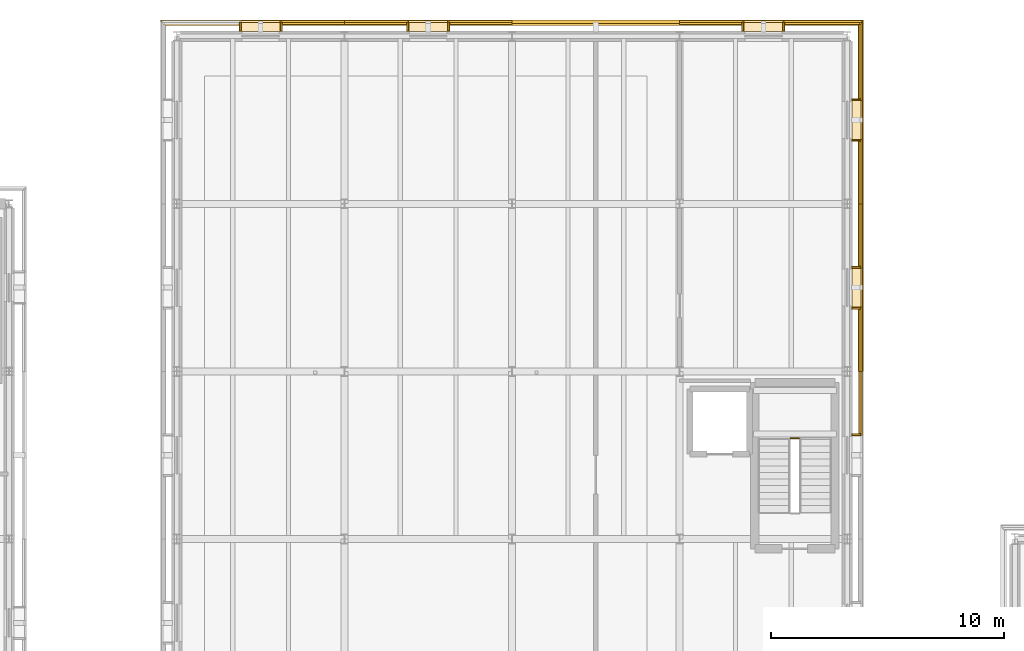
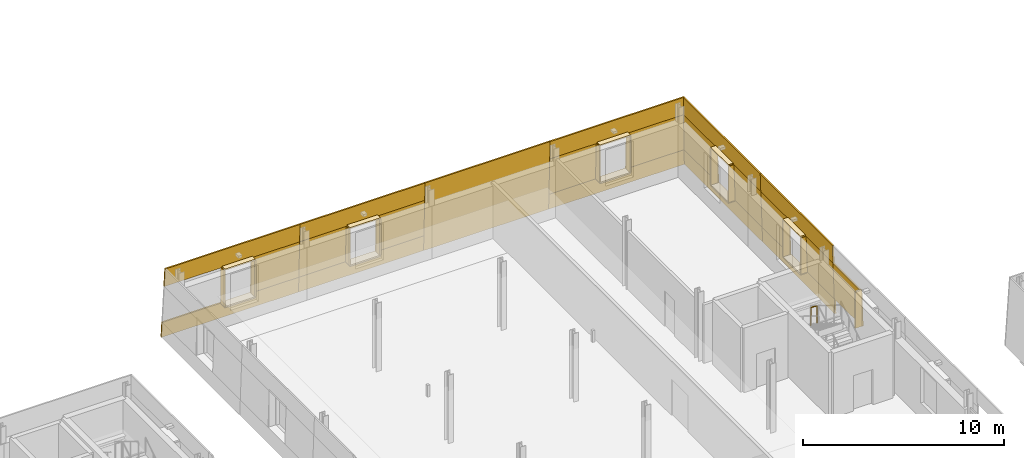
# One storey, part 104 of 115: 42 coverings, 1 railing.
"""IFC4 building model written with IfcOpenShell, lengths in metres."""

from ifc_helpers import new_model, si_unit, direction, frame, origin, origin_2d, place, context, subcontext, project, spatial, polyline, circle, outline, extrude, material, layer, layer_set, type_object, element, save


model = new_model("IFC4")

# Units and contexts
model_context = context("Model", 3, precision=1e-05, world=origin(), true_north=direction((0.0, 1.0)))
body_context = subcontext(model_context, "Body", "Model", "MODEL_VIEW")
ifc_project = project(units=[si_unit("LENGTHUNIT", "METRE"), si_unit("AREAUNIT", "SQUARE_METRE"), si_unit("VOLUMEUNIT", "CUBIC_METRE"), si_unit("PLANEANGLEUNIT", "RADIAN"), si_unit("MASSUNIT", "GRAM", prefix="KILO")], contexts=[model_context])

# Site, building, storey
site_placement = place(None, origin())
site = spatial("IfcSite", under=ifc_project, at=site_placement, CompositionType="ELEMENT")
building_placement = place(site_placement, origin())
building = spatial("IfcBuilding", under=site, at=building_placement, Name="Narikvali Park Central Library", CompositionType="ELEMENT")
storey_placement = place(building_placement, frame((0.0, 0.0, 10.199951171875)))
storey = spatial("IfcBuildingStorey", under=building, at=storey_placement, Name="L02", CompositionType="ELEMENT", Elevation=10.199951171875)

# Coverings
ifc_material_1 = material(Name="White Honed Limestone Cladding", Category="masonry")
ifc_layer_1 = layer(ifc_material_1, 0.0849609375, Name="White Honed Limestone Cladding")
ifc_layer_set_1 = layer_set([ifc_layer_1], Name="White Honed Limestone Cladding")
covering_type_1 = type_object("IfcCoveringType", Name="Battered White Limestone Facade Cladding Panel", PredefinedType="CLADDING", material=ifc_layer_set_1)
covering_1_placement = place(storey_placement, frame((58.265380859375, 98.0400390625, 0.920166015625), z_axis=(0.999435139525, 0.0, 0.033606574995), x_axis=(0.0, 1.0, 0.0)))
element("IfcCovering", 1, at=covering_1_placement, inside=storey, type_object=covering_type_1, Name="V4 L02 E Battered Limestone Jamb Pier R B07", PredefinedType="CLADDING", context=body_context, shape_type="SweptSolid", body=[
    extrude(outline(polyline([(0.0, 0.0), (2.760009765625, 0.0), (2.760009765625, 2.201194539668489), (0.0, 2.201194539668489), (0.0, 0.0)])), origin(), (0.0, 0.0, -1.0), 0.0849609375),
])
covering_2_placement = place(storey_placement, frame((58.29638671875, 100.800048828125, 0.0), z_axis=(0.999432774777, 0.0, 0.03367682738), x_axis=(0.0, 1.0, 0.0)))
element("IfcCovering", 2, at=covering_2_placement, inside=storey, type_object=covering_type_1, Name="V4 L02 E Battered Limestone Spandrel B08", PredefinedType="CLADDING", context=body_context, shape_type="SweptSolid", body=[
    extrude(outline(polyline([(0.0, 0.0), (7.199951171875, 0.0), (7.199951171875, 0.9206882532251458), (0.0, 0.9206882532251458), (0.0, 0.0)])), origin(), (0.0, 0.0, -1.0), 0.0849609375),
])
covering_3_placement = place(storey_placement, frame((58.19140625, 100.800048828125, 3.1201171875), z_axis=(0.999425428317, 0.0, 0.033894147467), x_axis=(0.0, 1.0, 0.0)))
element("IfcCovering", 3, at=covering_3_placement, inside=storey, type_object=covering_type_1, Name="V4 L02 E Battered Limestone Lintel B08", PredefinedType="CLADDING", context=body_context, shape_type="SweptSolid", body=[
    extrude(outline(polyline([(0.0, 0.0), (7.199951171875, 0.0), (7.199951171875, 1.0804547830976703), (0.0, 1.0804547830976703), (0.0, 0.0)])), origin(), (0.0, 0.0, -1.0), 0.0849609375),
])
for number, where, z_axis, x_axis, name in (
    (4, (58.265380859375, 100.800048828125, 0.920166015625), (0.999435139525, 0.0, 0.033606574995), (0.0, 1.0, 0.0), "V4 L02 E Battered Limestone Jamb Pier L B08"),
    (5, (58.265380859375, 105.239990234375, 0.920166015625), (0.999435139525, 0.0, 0.033606574995), (0.0, 1.0, 0.0), "V4 L02 E Battered Limestone Jamb Pier R B08"),
):
    element("IfcCovering", number, at=place(storey_placement, frame(where, z_axis=z_axis, x_axis=x_axis)), inside=storey, type_object=covering_type_1, Name=name, PredefinedType="CLADDING", context=body_context, shape_type="SweptSolid", body=[
        extrude(outline(polyline([(0.0, 0.0), (2.760009765625, 0.0), (2.760009765625, 2.201194539668489), (0.0, 2.201194539668489), (0.0, 0.0)])), origin(), (0.0, 0.0, -1.0), 0.0849609375),
    ])
covering_4_placement = place(storey_placement, frame((58.29638671875, 108.0, 0.0), z_axis=(0.999432774777, 0.0, 0.03367682738), x_axis=(0.0, 1.0, 0.0)))
element("IfcCovering", 6, at=covering_4_placement, inside=storey, type_object=covering_type_1, Name="V4 L02 E Battered Limestone Spandrel B09", PredefinedType="CLADDING", context=body_context, shape_type="SweptSolid", body=[
    extrude(outline(polyline([(0.0, 0.0), (7.811279296875, 0.0), (7.780517578125, 0.9206882532251458), (0.0, 0.9206882532251458), (0.0, 0.0)])), origin(), (0.0, 0.0, -1.0), 0.0849609375),
])
covering_5_placement = place(storey_placement, frame((58.19140625, 108.0, 3.1201171875), z_axis=(0.999425428317, 0.0, 0.033894147467), x_axis=(0.0, 1.0, 0.0)))
element("IfcCovering", 7, at=covering_5_placement, inside=storey, type_object=covering_type_1, Name="V4 L02 E Battered Limestone Lintel B09", PredefinedType="CLADDING", context=body_context, shape_type="SweptSolid", body=[
    extrude(outline(polyline([(0.0, 0.0), (7.706298828125, 0.0), (7.669921875, 1.0804547830976703), (0.0, 1.0804547830976703), (0.0, 0.0)])), origin(), (0.0, 0.0, -1.0), 0.0849609375),
])
covering_6_placement = place(storey_placement, frame((58.265380859375, 108.0, 0.920166015625), z_axis=(0.999435139525, 0.0, 0.033606574995), x_axis=(0.0, 1.0, 0.0)))
element("IfcCovering", 8, at=covering_6_placement, inside=storey, type_object=covering_type_1, Name="V4 L02 E Battered Limestone Jamb Pier L B09", PredefinedType="CLADDING", context=body_context, shape_type="SweptSolid", body=[
    extrude(outline(polyline([(0.0, 0.0), (2.760009765625, 0.0), (2.760009765625, 2.201194539668489), (0.0, 2.201194539668489), (0.0, 0.0)])), origin(), (0.0, 0.0, -1.0), 0.0849609375),
])
covering_7_placement = place(storey_placement, frame((58.265380859375, 112.43994140625, 0.920166015625), z_axis=(0.999435139525, 0.0, 0.033606574995), x_axis=(0.0, 1.0, 0.0)))
element("IfcCovering", 9, at=covering_7_placement, inside=storey, type_object=covering_type_1, Name="V4 L02 E Battered Limestone Jamb Pier R B09", PredefinedType="CLADDING", context=body_context, shape_type="SweptSolid", body=[
    extrude(outline(polyline([(0.0, 0.0), (3.340576171875, 0.0), (3.266357421875, 2.2011945396684887), (0.0, 2.2011945396684887), (0.0, 0.0)])), origin(), (0.0, 0.0, -1.0), 0.0849609375),
])
covering_8_placement = place(storey_placement, frame((58.29638671875, 115.896484375, 0.0), z_axis=(0.0, 0.999432774777, 0.03367682738), x_axis=(-1.0, 0.0, 0.0)))
element("IfcCovering", 10, at=covering_8_placement, inside=storey, type_object=covering_type_1, Name="V4 L02 N Battered Limestone Spandrel B01", PredefinedType="CLADDING", context=body_context, shape_type="SweptSolid", body=[
    extrude(outline(polyline([(0.0, 0.0), (7.896484375, 0.0), (7.896484375, 0.9206882532251457), (0.031005859375, 0.9206882532251457), (0.0, 0.0)])), origin(), (0.0, 0.0, -1.0), 0.0849609375),
])
covering_9_placement = place(storey_placement, frame((58.19140625, 115.791259765625, 3.1201171875), z_axis=(0.0, 0.999433057245, 0.033668443484), x_axis=(-1.0, 0.0, 0.0)))
element("IfcCovering", 11, at=covering_9_placement, inside=storey, type_object=covering_type_1, Name="V4 L02 N Battered Limestone Lintel B01", PredefinedType="CLADDING", context=body_context, shape_type="SweptSolid", body=[
    extrude(outline(polyline([(0.0, 0.0), (7.79150390625, 0.0), (7.79150390625, 1.0804465357109745), (0.03662109375, 1.0804465357109745), (0.0, 0.0)])), origin(), (0.0, 0.0, -1.0), 0.0849609375),
])
covering_10_placement = place(storey_placement, frame((58.265380859375, 115.865478515625, 0.920166015625), z_axis=(0.0, 0.999431408105, 0.033717361898), x_axis=(-1.0, 0.0, 0.0)))
element("IfcCovering", 12, at=covering_10_placement, inside=storey, type_object=covering_type_1, Name="V4 L02 N Battered Limestone Jamb Pier L B01", PredefinedType="CLADDING", context=body_context, shape_type="SweptSolid", body=[
    extrude(outline(polyline([(0.0, 0.0), (3.42529296875, 0.0), (3.42529296875, 2.201202757922529), (0.073974609375, 2.201202757922529), (0.0, 0.0)])), origin(), (0.0, 0.0, -1.0), 0.0849609375),
])
covering_11_placement = place(storey_placement, frame((53.159912109375, 115.865478515625, 0.920166015625), z_axis=(0.0, 0.999431408105, 0.033717361898), x_axis=(-1.0, 0.0, 0.0)))
element("IfcCovering", 13, at=covering_11_placement, inside=storey, type_object=covering_type_1, Name="V4 L02 N Battered Limestone Jamb Pier R B01", PredefinedType="CLADDING", context=body_context, shape_type="SweptSolid", body=[
    extrude(outline(polyline([(0.0, 0.0), (2.760009765625, 0.0), (2.760009765625, 2.2012027579225295), (0.0, 2.2012027579225295), (0.0, 0.0)])), origin(), (0.0, 0.0, -1.0), 0.0849609375),
])
covering_12_placement = place(storey_placement, frame((50.39990234375, 115.896484375, 0.0), z_axis=(0.0, 0.99943213179, 0.033695903996), x_axis=(-1.0, 0.0, 0.0)))
element("IfcCovering", 14, at=covering_12_placement, inside=storey, type_object=covering_type_1, Name="V4 L02 N Battered Limestone Panel B02", PredefinedType="CLADDING", context=body_context, shape_type="SweptSolid", body=[
    extrude(outline(polyline([(0.0, 0.0), (7.199951171875, 0.0), (7.199951171875, 4.202337545775758), (0.0, 4.202337545775758), (0.0, 0.0)])), origin(), (0.0, 0.0, -1.0), 0.0849609375),
])
covering_13_placement = place(storey_placement, frame((43.199951171875, 115.896484375, 0.0), z_axis=(0.0, 0.999432774777, 0.03367682738), x_axis=(-1.0, 0.0, 0.0)))
element("IfcCovering", 15, at=covering_13_placement, inside=storey, type_object=covering_type_1, Name="V4 L02 N Battered Limestone Spandrel B03", PredefinedType="CLADDING", context=body_context, shape_type="SweptSolid", body=[
    extrude(outline(polyline([(0.0, 0.0), (7.199951171875, 0.0), (7.199951171875, 0.9206882532251458), (0.0, 0.9206882532251458), (0.0, 0.0)])), origin(), (0.0, 0.0, -1.0), 0.0849609375),
])
covering_14_placement = place(storey_placement, frame((43.199951171875, 115.791259765625, 3.1201171875), z_axis=(0.0, 0.999433057245, 0.033668443484), x_axis=(-1.0, 0.0, 0.0)))
element("IfcCovering", 16, at=covering_14_placement, inside=storey, type_object=covering_type_1, Name="V4 L02 N Battered Limestone Lintel B03", PredefinedType="CLADDING", context=body_context, shape_type="SweptSolid", body=[
    extrude(outline(polyline([(0.0, 0.0), (7.199951171875, 0.0), (7.199951171875, 1.0804465357109745), (0.0, 1.0804465357109745), (0.0, 0.0)])), origin(), (0.0, 0.0, -1.0), 0.0849609375),
])
for number, where, z_axis, x_axis, name in (
    (17, (43.199951171875, 115.865478515625, 0.920166015625), (0.0, 0.999431408105, 0.033717361898), (-1.0, 0.0, 0.0), "V4 L02 N Battered Limestone Jamb Pier L B03"),
    (18, (38.760009765625, 115.865478515625, 0.920166015625), (0.0, 0.999431408105, 0.033717361898), (-1.0, 0.0, 0.0), "V4 L02 N Battered Limestone Jamb Pier R B03"),
):
    element("IfcCovering", number, at=place(storey_placement, frame(where, z_axis=z_axis, x_axis=x_axis)), inside=storey, type_object=covering_type_1, Name=name, PredefinedType="CLADDING", context=body_context, shape_type="SweptSolid", body=[
        extrude(outline(polyline([(0.0, 0.0), (2.760009765625, 0.0), (2.760009765625, 2.2012027579225295), (0.0, 2.2012027579225295), (0.0, 0.0)])), origin(), (0.0, 0.0, -1.0), 0.0849609375),
    ])
covering_15_placement = place(storey_placement, frame((36.0, 115.896484375, 0.0), z_axis=(0.0, 0.999432774777, 0.03367682738), x_axis=(-1.0, 0.0, 0.0)))
element("IfcCovering", 19, at=covering_15_placement, inside=storey, type_object=covering_type_1, Name="V4 L02 N Battered Limestone Spandrel B04", PredefinedType="CLADDING", context=body_context, shape_type="SweptSolid", body=[
    extrude(outline(polyline([(0.0, 0.0), (7.896484375, 0.0), (7.865478515625, 0.9206882532251457), (0.0, 0.9206882532251457), (0.0, 0.0)])), origin(), (0.0, 0.0, -1.0), 0.0849609375),
])
covering_16_placement = place(storey_placement, frame((36.0, 115.791259765625, 3.1201171875), z_axis=(0.0, 0.999433057245, 0.033668443484), x_axis=(-1.0, 0.0, 0.0)))
element("IfcCovering", 20, at=covering_16_placement, inside=storey, type_object=covering_type_1, Name="V4 L02 N Battered Limestone Lintel B04", PredefinedType="CLADDING", context=body_context, shape_type="SweptSolid", body=[
    extrude(outline(polyline([(0.0, 0.0), (7.791259765625, 0.0), (7.7548828125, 1.0804465357109745), (0.0, 1.0804465357109745), (0.0, 0.0)])), origin(), (0.0, 0.0, -1.0), 0.0849609375),
])
covering_17_placement = place(storey_placement, frame((36.0, 115.865478515625, 0.920166015625), z_axis=(0.0, 0.999431408105, 0.033717361898), x_axis=(-1.0, 0.0, 0.0)))
element("IfcCovering", 21, at=covering_17_placement, inside=storey, type_object=covering_type_1, Name="V4 L02 N Battered Limestone Jamb Pier L B04", PredefinedType="CLADDING", context=body_context, shape_type="SweptSolid", body=[
    extrude(outline(polyline([(0.0, 0.0), (2.760009765625, 0.0), (2.760009765625, 2.2012027579225295), (0.0, 2.2012027579225295), (0.0, 0.0)])), origin(), (0.0, 0.0, -1.0), 0.0849609375),
])
ifc_layer_2 = layer(ifc_material_1, 0.080078125, Name="White Honed Limestone Cladding")
ifc_layer_set_2 = layer_set([ifc_layer_2], Name="White Honed Limestone Cladding")
covering_type_2 = type_object("IfcCoveringType", Name="Deep Carved White Limestone Window Reveal", PredefinedType="CLADDING", material=ifc_layer_set_2)
covering_18_placement = place(storey_placement, frame((0.0, 0.0, 0.920166015625)))
element("IfcCovering", 22, at=covering_18_placement, inside=storey, type_object=covering_type_2, Name="Deep Stone Reveal Jamb R V4-RVL-L02-E-B07", PredefinedType="CLADDING", context=body_context, shape_type="SweptSolid", body=[
    extrude(outline(polyline([(57.804931640625, 98.0400390625), (57.804931640625, 98.1201171875), (58.19140625, 98.1201171875), (58.19140625, 98.0400390625), (57.804931640625, 98.0400390625)])), origin(), (0.0, 0.0, 1.0), 2.199951171875),
])
covering_19_placement = place(storey_placement, frame((0.0, 0.0, 3.1201171875)))
element("IfcCovering", 23, at=covering_19_placement, inside=storey, type_object=covering_type_2, Name="Deep Stone Reveal Head V4-RVL-L02-E-B08", PredefinedType="CLADDING", context=body_context, shape_type="SweptSolid", body=[
    extrude(outline(polyline([(57.804931640625, 103.52001953125), (57.804931640625, 105.280029296875), (58.19140625, 105.280029296875), (58.19140625, 103.52001953125), (57.804931640625, 103.52001953125)])), origin(), (0.0, 0.0, 1.0), 0.079833984375),
])
covering_20_placement = place(storey_placement, frame((0.0, 0.0, 0.840087890625)))
element("IfcCovering", 24, at=covering_20_placement, inside=storey, type_object=covering_type_2, Name="Deep Stone Reveal Sill V4-RVL-L02-E-B08", PredefinedType="CLADDING", context=body_context, shape_type="SweptSolid", body=[
    extrude(outline(polyline([(57.804931640625, 103.52001953125), (57.804931640625, 105.280029296875), (58.265380859375, 105.280029296875), (58.265380859375, 103.52001953125), (57.804931640625, 103.52001953125)])), origin(), (0.0, 0.0, 1.0), 0.080078125),
])
covering_21_placement = place(storey_placement, frame((0.0, 0.0, 0.920166015625)))
element("IfcCovering", 25, at=covering_21_placement, inside=storey, type_object=covering_type_2, Name="Deep Stone Reveal Jamb L V4-RVL-L02-E-B08", PredefinedType="CLADDING", context=body_context, shape_type="SweptSolid", body=[
    extrude(outline(polyline([(57.804931640625, 103.47998046875), (57.804931640625, 103.56005859375), (58.19140625, 103.56005859375), (58.19140625, 103.47998046875), (57.804931640625, 103.47998046875)])), origin(), (0.0, 0.0, 1.0), 2.199951171875),
])
covering_22_placement = place(storey_placement, frame((0.0, 0.0, 0.920166015625)))
element("IfcCovering", 26, at=covering_22_placement, inside=storey, type_object=covering_type_2, Name="Deep Stone Reveal Jamb R V4-RVL-L02-E-B08", PredefinedType="CLADDING", context=body_context, shape_type="SweptSolid", body=[
    extrude(outline(polyline([(57.804931640625, 105.239990234375), (57.804931640625, 105.320068359375), (58.19140625, 105.320068359375), (58.19140625, 105.239990234375), (57.804931640625, 105.239990234375)])), origin(), (0.0, 0.0, 1.0), 2.199951171875),
])
covering_23_placement = place(storey_placement, frame((0.0, 0.0, 3.1201171875)))
element("IfcCovering", 27, at=covering_23_placement, inside=storey, type_object=covering_type_2, Name="Deep Stone Reveal Head V4-RVL-L02-E-B09", PredefinedType="CLADDING", context=body_context, shape_type="SweptSolid", body=[
    extrude(outline(polyline([(57.804931640625, 110.719970703125), (57.804931640625, 112.47998046875), (58.19140625, 112.47998046875), (58.19140625, 110.719970703125), (57.804931640625, 110.719970703125)])), origin(), (0.0, 0.0, 1.0), 0.079833984375),
])
covering_24_placement = place(storey_placement, frame((0.0, 0.0, 0.840087890625)))
element("IfcCovering", 28, at=covering_24_placement, inside=storey, type_object=covering_type_2, Name="Deep Stone Reveal Sill V4-RVL-L02-E-B09", PredefinedType="CLADDING", context=body_context, shape_type="SweptSolid", body=[
    extrude(outline(polyline([(57.804931640625, 110.719970703125), (57.804931640625, 112.47998046875), (58.265380859375, 112.47998046875), (58.265380859375, 110.719970703125), (57.804931640625, 110.719970703125)])), origin(), (0.0, 0.0, 1.0), 0.080078125),
])
covering_25_placement = place(storey_placement, frame((0.0, 0.0, 0.920166015625)))
element("IfcCovering", 29, at=covering_25_placement, inside=storey, type_object=covering_type_2, Name="Deep Stone Reveal Jamb L V4-RVL-L02-E-B09", PredefinedType="CLADDING", context=body_context, shape_type="SweptSolid", body=[
    extrude(outline(polyline([(57.804931640625, 110.679931640625), (57.804931640625, 110.760009765625), (58.19140625, 110.760009765625), (58.19140625, 110.679931640625), (57.804931640625, 110.679931640625)])), origin(), (0.0, 0.0, 1.0), 2.199951171875),
])
covering_26_placement = place(storey_placement, frame((0.0, 0.0, 0.920166015625)))
element("IfcCovering", 30, at=covering_26_placement, inside=storey, type_object=covering_type_2, Name="Deep Stone Reveal Jamb R V4-RVL-L02-E-B09", PredefinedType="CLADDING", context=body_context, shape_type="SweptSolid", body=[
    extrude(outline(polyline([(57.804931640625, 112.43994140625), (57.804931640625, 112.52001953125), (58.19140625, 112.52001953125), (58.19140625, 112.43994140625), (57.804931640625, 112.43994140625)])), origin(), (0.0, 0.0, 1.0), 2.199951171875),
])
covering_27_placement = place(storey_placement, frame((0.0, 0.0, 3.1201171875)))
element("IfcCovering", 31, at=covering_27_placement, inside=storey, type_object=covering_type_2, Name="Deep Stone Reveal Head V4-RVL-L02-N-B01", PredefinedType="CLADDING", context=body_context, shape_type="SweptSolid", body=[
    extrude(outline(polyline([(54.8798828125, 115.405029296875), (53.1201171875, 115.405029296875), (53.1201171875, 115.791259765625), (54.8798828125, 115.791259765625), (54.8798828125, 115.405029296875)])), origin(), (0.0, 0.0, 1.0), 0.079833984375),
])
covering_28_placement = place(storey_placement, frame((0.0, 0.0, 0.840087890625)))
element("IfcCovering", 32, at=covering_28_placement, inside=storey, type_object=covering_type_2, Name="Deep Stone Reveal Sill V4-RVL-L02-N-B01", PredefinedType="CLADDING", context=body_context, shape_type="SweptSolid", body=[
    extrude(outline(polyline([(54.8798828125, 115.405029296875), (53.1201171875, 115.405029296875), (53.1201171875, 115.865478515625), (54.8798828125, 115.865478515625), (54.8798828125, 115.405029296875)])), origin(), (0.0, 0.0, 1.0), 0.080078125),
])
covering_29_placement = place(storey_placement, frame((0.0, 0.0, 0.920166015625)))
element("IfcCovering", 33, at=covering_29_placement, inside=storey, type_object=covering_type_2, Name="Deep Stone Reveal Jamb L V4-RVL-L02-N-B01", PredefinedType="CLADDING", context=body_context, shape_type="SweptSolid", body=[
    extrude(outline(polyline([(54.919921875, 115.405029296875), (54.840087890625, 115.405029296875), (54.840087890625, 115.791259765625), (54.919921875, 115.791259765625), (54.919921875, 115.405029296875)])), origin(), (0.0, 0.0, 1.0), 2.199951171875),
])
covering_30_placement = place(storey_placement, frame((0.0, 0.0, 0.920166015625)))
element("IfcCovering", 34, at=covering_30_placement, inside=storey, type_object=covering_type_2, Name="Deep Stone Reveal Jamb R V4-RVL-L02-N-B01", PredefinedType="CLADDING", context=body_context, shape_type="SweptSolid", body=[
    extrude(outline(polyline([(53.159912109375, 115.405029296875), (53.080078125, 115.405029296875), (53.080078125, 115.791259765625), (53.159912109375, 115.791259765625), (53.159912109375, 115.405029296875)])), origin(), (0.0, 0.0, 1.0), 2.199951171875),
])
covering_31_placement = place(storey_placement, frame((0.0, 0.0, 3.1201171875)))
element("IfcCovering", 35, at=covering_31_placement, inside=storey, type_object=covering_type_2, Name="Deep Stone Reveal Head V4-RVL-L02-N-B03", PredefinedType="CLADDING", context=body_context, shape_type="SweptSolid", body=[
    extrude(outline(polyline([(40.47998046875, 115.405029296875), (38.719970703125, 115.405029296875), (38.719970703125, 115.791259765625), (40.47998046875, 115.791259765625), (40.47998046875, 115.405029296875)])), origin(), (0.0, 0.0, 1.0), 0.079833984375),
])
covering_32_placement = place(storey_placement, frame((0.0, 0.0, 0.840087890625)))
element("IfcCovering", 36, at=covering_32_placement, inside=storey, type_object=covering_type_2, Name="Deep Stone Reveal Sill V4-RVL-L02-N-B03", PredefinedType="CLADDING", context=body_context, shape_type="SweptSolid", body=[
    extrude(outline(polyline([(40.47998046875, 115.405029296875), (38.719970703125, 115.405029296875), (38.719970703125, 115.865478515625), (40.47998046875, 115.865478515625), (40.47998046875, 115.405029296875)])), origin(), (0.0, 0.0, 1.0), 0.080078125),
])
covering_33_placement = place(storey_placement, frame((0.0, 0.0, 0.920166015625)))
element("IfcCovering", 37, at=covering_33_placement, inside=storey, type_object=covering_type_2, Name="Deep Stone Reveal Jamb L V4-RVL-L02-N-B03", PredefinedType="CLADDING", context=body_context, shape_type="SweptSolid", body=[
    extrude(outline(polyline([(40.52001953125, 115.405029296875), (40.43994140625, 115.405029296875), (40.43994140625, 115.791259765625), (40.52001953125, 115.791259765625), (40.52001953125, 115.405029296875)])), origin(), (0.0, 0.0, 1.0), 2.199951171875),
])
covering_34_placement = place(storey_placement, frame((0.0, 0.0, 0.920166015625)))
element("IfcCovering", 38, at=covering_34_placement, inside=storey, type_object=covering_type_2, Name="Deep Stone Reveal Jamb R V4-RVL-L02-N-B03", PredefinedType="CLADDING", context=body_context, shape_type="SweptSolid", body=[
    extrude(outline(polyline([(38.760009765625, 115.405029296875), (38.679931640625, 115.405029296875), (38.679931640625, 115.791259765625), (38.760009765625, 115.791259765625), (38.760009765625, 115.405029296875)])), origin(), (0.0, 0.0, 1.0), 2.199951171875),
])
covering_35_placement = place(storey_placement, frame((0.0, 0.0, 3.1201171875)))
element("IfcCovering", 39, at=covering_35_placement, inside=storey, type_object=covering_type_2, Name="Deep Stone Reveal Head V4-RVL-L02-N-B04", PredefinedType="CLADDING", context=body_context, shape_type="SweptSolid", body=[
    extrude(outline(polyline([(33.280029296875, 115.405029296875), (31.52001953125, 115.405029296875), (31.52001953125, 115.791259765625), (33.280029296875, 115.791259765625), (33.280029296875, 115.405029296875)])), origin(), (0.0, 0.0, 1.0), 0.079833984375),
])
covering_36_placement = place(storey_placement, frame((0.0, 0.0, 0.840087890625)))
element("IfcCovering", 40, at=covering_36_placement, inside=storey, type_object=covering_type_2, Name="Deep Stone Reveal Sill V4-RVL-L02-N-B04", PredefinedType="CLADDING", context=body_context, shape_type="SweptSolid", body=[
    extrude(outline(polyline([(33.280029296875, 115.405029296875), (31.52001953125, 115.405029296875), (31.52001953125, 115.865478515625), (33.280029296875, 115.865478515625), (33.280029296875, 115.405029296875)])), origin(), (0.0, 0.0, 1.0), 0.080078125),
])
covering_37_placement = place(storey_placement, frame((0.0, 0.0, 0.920166015625)))
element("IfcCovering", 41, at=covering_37_placement, inside=storey, type_object=covering_type_2, Name="Deep Stone Reveal Jamb L V4-RVL-L02-N-B04", PredefinedType="CLADDING", context=body_context, shape_type="SweptSolid", body=[
    extrude(outline(polyline([(33.320068359375, 115.405029296875), (33.239990234375, 115.405029296875), (33.239990234375, 115.791259765625), (33.320068359375, 115.791259765625), (33.320068359375, 115.405029296875)])), origin(), (0.0, 0.0, 1.0), 2.199951171875),
])
covering_38_placement = place(storey_placement, frame((0.0, 0.0, 0.920166015625)))
element("IfcCovering", 42, at=covering_38_placement, inside=storey, type_object=covering_type_2, Name="Deep Stone Reveal Jamb R V4-RVL-L02-N-B04", PredefinedType="CLADDING", context=body_context, shape_type="SweptSolid", body=[
    extrude(outline(polyline([(31.56005859375, 115.405029296875), (31.47998046875, 115.405029296875), (31.47998046875, 115.791259765625), (31.56005859375, 115.791259765625), (31.56005859375, 115.405029296875)])), origin(), (0.0, 0.0, 1.0), 2.199951171875),
])

# Railing
ifc_material_2 = material(Name="Powder-Coated Steel S275", Category="steel")
ifc_layer_3 = layer(ifc_material_2, 0.050048828125, Name="Powder-Coated Steel S275")
ifc_layer_set_3 = layer_set([ifc_layer_3], Name="Powder-Coated Steel S275")
railing_type = type_object("IfcRailingType", Name="Stair Well Steel Guardrail 1100", PredefinedType="GUARDRAIL", material=ifc_layer_set_3)
railing_placement = place(storey_placement, frame((55.530029296875, 97.93505859375, 2.10009765625)))
element("IfcRailing", 43, at=railing_placement, inside=storey, type_object=railing_type, Name="L02 ST-08 stair guard 2", PredefinedType="GUARDRAIL", context=body_context, shape_type="SweptSolid", body=[
    extrude(circle(Radius=0.02392578125, at=origin_2d()), frame((0.0, 0.0, 1.076171875), z_axis=(-1.0, 0.0, 0.0), x_axis=(0.0, -1.0, 0.0)), (0.0, 0.0, 1.0), 0.360107421875),
    extrude(circle(Radius=0.02099609375, at=origin_2d()), origin(), (0.0, 0.0, 1.0), 1.052001953125),
    extrude(circle(Radius=0.02099609375, at=origin_2d()), frame((-0.360107421875, 0.0, 0.0)), (0.0, 0.0, 1.0), 1.052001953125),
])

save(model, "model.ifc")
